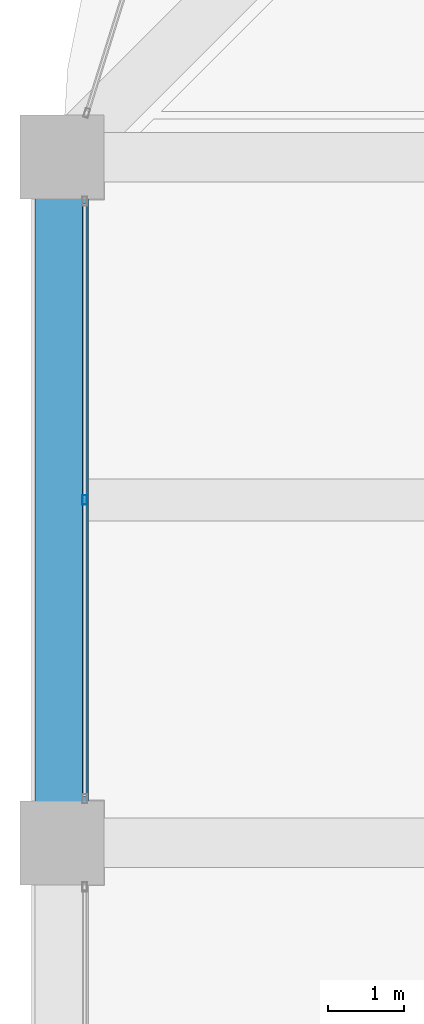
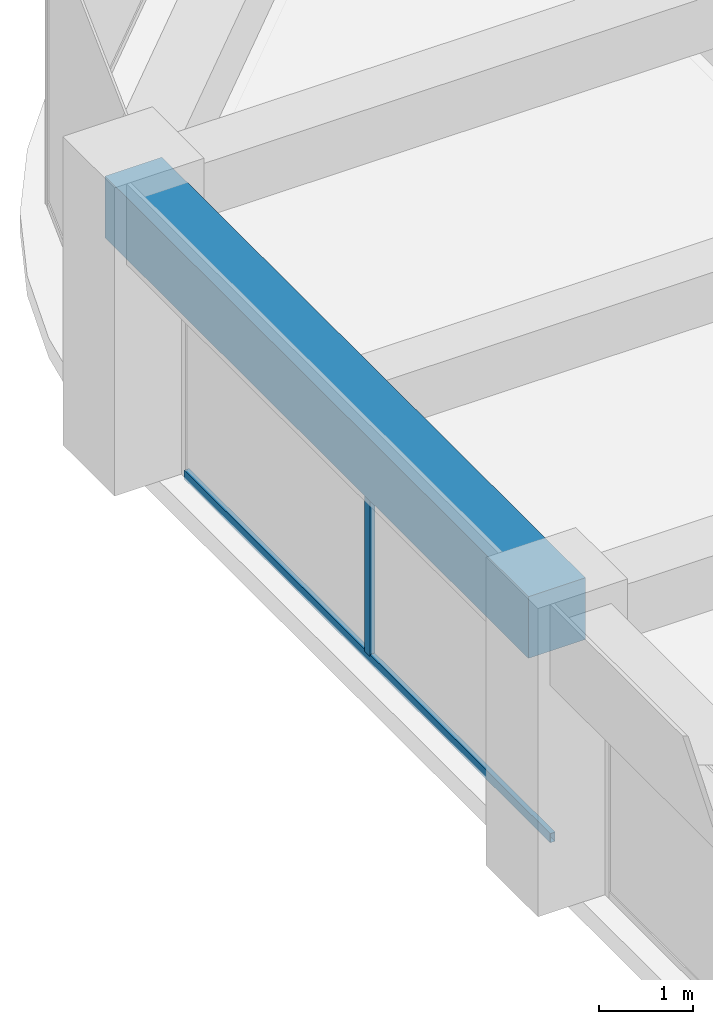
# One storey, part 16 of 44: 2 members, 1 beam, 1 element without a shape of its own.
"""IFC4 building model written with IfcOpenShell, lengths in metres."""

import ifcopenshell
import ifcopenshell.guid

model = None  # the IFC model being written
_history = None  # IfcOwnerHistory: only IFC2X3 demands one
_inside = {}  # id of a spatial element -> (the spatial element, [elements in it])
_under = {}  # id of a project, library or spatial element -> (it, [spatial elements below it])
_declared = {}  # id of a project -> (the project, [libraries it declares])
_typed = {}  # id of a type object -> (the type object, [elements of that type])
_made_of = {}  # id of a material, layer set ... -> (it, [elements and type objects made of it])


def new_model(schema):
    """Start an empty IFC model of exactly this schema.

    Asked for "IFC4X3", IfcOpenShell would pick the latest addendum, in which some entities
    have other attributes; the version numbers below select the first issue.
    IFC2X3 requires an IfcOwnerHistory on every rooted entity: one is made here for all.
    """
    global model, _history
    if schema == "IFC4X3":
        model = ifcopenshell.file(schema_version=(4, 3, 0, 0))
    else:
        model = ifcopenshell.file(schema=schema)
    _inside.clear()
    _under.clear()
    _declared.clear()
    _typed.clear()
    _made_of.clear()
    _history = None
    if model.schema == "IFC2X3":
        org = make("IfcOrganization", Name="unknown")
        user = make(
            "IfcPersonAndOrganization",
            ThePerson=make("IfcPerson", FamilyName="unknown"),
            TheOrganization=org,
        )
        app = make(
            "IfcApplication",
            ApplicationDeveloper=org,
            Version="unknown",
            ApplicationFullName="unknown",
            ApplicationIdentifier="unknown",
        )
        _history = make(
            "IfcOwnerHistory",
            OwningUser=user,
            OwningApplication=app,
            ChangeAction="ADDED",
            CreationDate=0,
        )
    return model


def make(cls, **values):
    """One entity of the class cls with the attributes given. An attribute that is None is left unset."""
    return model.create_entity(
        cls, **{name: value for name, value in values.items() if value is not None}
    )


def rooted(cls, **values):
    """An entity with a GlobalId (a new one), such as an element, a storey or a relation."""
    return make(cls, GlobalId=ifcopenshell.guid.new(), OwnerHistory=_history, **values)


def si_unit(unit_type, name, prefix=None):
    """IfcSIUnit, for example si_unit("LENGTHUNIT", "METRE", prefix="MILLI")."""
    return make("IfcSIUnit", UnitType=unit_type, Prefix=prefix, Name=name)


def assignment(units):
    """IfcUnitAssignment: the units of a project."""
    return None if units is None else make("IfcUnitAssignment", Units=units)


def point(xyz):
    """IfcCartesianPoint."""
    return None if xyz is None else make("IfcCartesianPoint", Coordinates=xyz)


def direction(xyz):
    """IfcDirection."""
    return None if xyz is None else make("IfcDirection", DirectionRatios=xyz)


def frame(location, z_axis=None, x_axis=None):
    """IfcAxis2Placement3D, a coordinate frame: its origin and axes. An axis left out is left unset."""
    return make(
        "IfcAxis2Placement3D",
        Location=point(location),
        Axis=direction(z_axis),
        RefDirection=direction(x_axis),
    )


def frame_2d(location, x_axis=None):
    """IfcAxis2Placement2D, a coordinate frame in the plane: its origin and x axis."""
    return make(
        "IfcAxis2Placement2D", Location=point(location), RefDirection=direction(x_axis)
    )


def origin():
    """The frame at (0, 0, 0) with its axes left unset."""
    return frame((0.0, 0.0, 0.0))


def origin_2d():
    """The frame at (0, 0) in the plane with its x axis left unset."""
    return frame_2d((0.0, 0.0))


def place(relative_to, where):
    """IfcLocalPlacement: puts the frame where relative to a parent placement (None: the world)."""
    return make(
        "IfcLocalPlacement", PlacementRelTo=relative_to, RelativePlacement=where
    )


def context(
    kind, dimensions, precision=None, world=None, true_north=None, identifier=None
):
    """IfcGeometricRepresentationContext, for example the 3D "Model" context."""
    return make(
        "IfcGeometricRepresentationContext",
        ContextIdentifier=identifier,
        ContextType=kind,
        CoordinateSpaceDimension=dimensions,
        Precision=precision,
        WorldCoordinateSystem=world,
        TrueNorth=true_north,
    )


def subcontext(parent, identifier, kind, view, scale=None):
    """IfcGeometricRepresentationSubContext, for example "Body" below "Model"."""
    return make(
        "IfcGeometricRepresentationSubContext",
        ContextIdentifier=identifier,
        ContextType=kind,
        ParentContext=parent,
        TargetScale=scale,
        TargetView=view,
    )


def project(units=None, contexts=None):
    """IfcProject with its units and contexts."""
    return rooted(
        "IfcProject",
        Name="project",
        RepresentationContexts=contexts,
        UnitsInContext=assignment(units),
    )


def spatial(cls, under=None, at=None, **own):
    """A site, building, storey or space (cls), placed at a placement, below another one or the project."""
    s = rooted(cls, ObjectPlacement=at, **own)
    if under is not None:
        _under.setdefault(under.id(), (under, []))[1].append(s)
    return s


def profile(cls, at=None, kind="AREA", **sizes):
    """A parametric profile (cls). Its sizes go by their IFC names, for example OverallWidth=200.0."""
    return make(cls, ProfileType=kind, Position=at, **sizes)


def rectangle(**sizes):
    """IfcRectangleProfileDef."""
    return profile("IfcRectangleProfileDef", **sizes)


def hollow_rectangle(**sizes):
    """IfcRectangleHollowProfileDef."""
    return profile("IfcRectangleHollowProfileDef", **sizes)


def extrude(swept, where, along, depth):
    """IfcExtrudedAreaSolid: the profile swept, set in the frame where, extruded along a direction by depth."""
    return make(
        "IfcExtrudedAreaSolid",
        SweptArea=swept,
        Position=where,
        ExtrudedDirection=direction(along),
        Depth=depth,
    )


def shape(context_of_items, identifier, shape_type, items):
    """IfcShapeRepresentation: the items that make up one representation, for example the "Body"."""
    return make(
        "IfcShapeRepresentation",
        ContextOfItems=context_of_items,
        RepresentationIdentifier=identifier,
        RepresentationType=shape_type,
        Items=items,
    )


def material(Name=None, Category=None):
    """IfcMaterial."""
    return make("IfcMaterial", Name=Name, Category=Category)


def material_profile(
    of_material, cross_section, Name=None, Category=None, Priority=None
):
    """IfcMaterialProfile: a cross section and its material."""
    return make(
        "IfcMaterialProfile",
        Name=Name,
        Material=of_material,
        Profile=cross_section,
        Priority=Priority,
        Category=Category,
    )


def profile_set(profiles, Name=None, composite=None):
    """IfcMaterialProfileSet."""
    return make(
        "IfcMaterialProfileSet",
        Name=Name,
        MaterialProfiles=profiles,
        CompositeProfile=composite,
    )


def made_of(thing, what):
    """Note that an element or type object is made of a material, layer set ...; save() writes the relation."""
    if what is not None:
        _made_of.setdefault(what.id(), (what, []))[1].append(thing)
    return thing


def type_object(cls, material=None, **own):
    """A type object (cls), such as IfcWallType, which elements share."""
    return made_of(rooted(cls, **own), material)


def element(
    cls,
    number,
    at=None,
    inside=None,
    cuts=None,
    type_object=None,
    material=None,
    context=None,
    identifier="Body",
    shape_type=None,
    held_by="IfcProductDefinitionShape",
    body=None,
    shapes=None,
    **own,
):
    """One element of the class cls, such as IfcWall. Its Tag is "e" and its number.

    at: its placement. inside: the storey or other place that contains it. cuts: it is an
    opening in that element (IfcRelVoidsElement). A single representation is given by context,
    identifier, shape_type and body (its items); several are given by shapes. held_by: the class
    of the entity that holds the representations. save() writes the other relations.
    """
    e = rooted(cls, Tag="e%d" % number, ObjectPlacement=at, **own)
    if body is not None:
        shapes = [shape(context, identifier, shape_type, body)]
    if shapes is not None:
        e.Representation = make(held_by, Representations=shapes)
    if inside is not None:
        _inside.setdefault(inside.id(), (inside, []))[1].append(e)
    if cuts is not None:
        rooted(
            "IfcRelVoidsElement", RelatingBuildingElement=cuts, RelatedOpeningElement=e
        )
    if type_object is not None:
        _typed.setdefault(type_object.id(), (type_object, []))[1].append(e)
    return made_of(e, material)


def aggregate(whole, parts):
    """IfcRelAggregates: a whole, such as a stair, and the parts it consists of."""
    return rooted("IfcRelAggregates", RelatingObject=whole, RelatedObjects=parts)


def save(model, path):
    """Write the relations noted so far, then the file.

    IfcRelAggregates (storeys below a building ...), IfcRelContainedInSpatialStructure (elements
    in a storey), IfcRelDefinesByType, IfcRelAssociatesMaterial and IfcRelDeclares: one each for
    every whole, place, type object, material and project.
    """
    for whole, parts in _under.values():
        aggregate(whole, parts)
    for where, things in _inside.values():
        rooted(
            "IfcRelContainedInSpatialStructure",
            RelatedElements=things,
            RelatingStructure=where,
        )
    for kind, things in _typed.values():
        rooted("IfcRelDefinesByType", RelatedObjects=things, RelatingType=kind)
    for what, things in _made_of.values():
        rooted("IfcRelAssociatesMaterial", RelatedObjects=things, RelatingMaterial=what)
    for by, libraries in _declared.values():
        rooted("IfcRelDeclares", RelatingContext=by, RelatedDefinitions=libraries)
    model.write(path)


model = new_model("IFC4")

# Units and contexts
model_context = context("Model", 3, precision=1e-05, world=origin(), true_north=direction((0.0, 1.0)))
body_context = subcontext(model_context, "Body", "Model", "MODEL_VIEW")
ifc_project = project(units=[si_unit("LENGTHUNIT", "METRE"), si_unit("AREAUNIT", "SQUARE_METRE"), si_unit("VOLUMEUNIT", "CUBIC_METRE"), si_unit("PLANEANGLEUNIT", "RADIAN"), si_unit("MASSUNIT", "GRAM", prefix="KILO")], contexts=[model_context])

# Site, building, storey
site_placement = place(None, origin())
site = spatial("IfcSite", under=ifc_project, at=site_placement, CompositionType="ELEMENT")
building_placement = place(site_placement, origin())
building = spatial("IfcBuilding", under=site, at=building_placement, Name="Zorevar Civic Tower", CompositionType="ELEMENT")
storey_placement = place(building_placement, frame((0.0, 0.0, 255.39990234375)))
storey = spatial("IfcBuildingStorey", under=building, at=storey_placement, Name="L62", CompositionType="ELEMENT", Elevation=255.39990234375)

# Curtain wall, members
ifc_material_1 = material(Name="Dark grey solar-control glass in black aluminium frame", Category="aluminium")
curtain_wall_type = type_object("IfcCurtainWallType", Name="Curtain wall CW5 top zone", PredefinedType="NOTDEFINED", material=ifc_material_1)
curtain_wall_placement = place(storey_placement, origin())
curtain_wall = element("IfcCurtainWall", 1, at=curtain_wall_placement, inside=storey, type_object=curtain_wall_type, Name="CW5 L62", PredefinedType="NOTDEFINED")
ifc_material_2 = material(Name="Aluminium, black anodised", Category="aluminium")
ifc_material_profile_1 = material_profile(ifc_material_2, hollow_rectangle(XDim=0.06005859375, YDim=0.1201171875, WallThickness=0.0029296875, at=origin_2d()), Name="AL 120x60x3")
ifc_profile_set_1 = profile_set([ifc_material_profile_1], Name="Aluminium, black anodised")
member_type_1 = type_object("IfcMemberType", Name="CW5 mullion AL 120x60x3", PredefinedType="MULLION", material=ifc_profile_set_1)
member_1_placement = place(storey_placement, frame((9.300048828125, 31.5, 0.06005859375), z_axis=(0.0, 0.0, 1.0), x_axis=(-1.0, 0.0, 0.0)))
member_1 = element("IfcMember", 2, at=member_1_placement, type_object=member_type_1, Name="CW5 mullion 2", PredefinedType="MULLION", context=body_context, shape_type="SweptSolid", body=[
    extrude(hollow_rectangle(XDim=0.06005859375, YDim=0.1201171875, WallThickness=0.0029296875, at=origin_2d()), origin(), (0.0, 0.0, 1.0), 2.89013671875),
])
ifc_material_3 = material(Name="Aluminium, black anodised", Category="aluminium")
ifc_material_profile_2 = material_profile(ifc_material_3, hollow_rectangle(XDim=0.06005859375, YDim=0.1201171875, WallThickness=0.0029296875, at=origin_2d()), Name="AL 120x60x3")
ifc_profile_set_2 = profile_set([ifc_material_profile_2], Name="Aluminium, black anodised")
member_type_2 = type_object("IfcMemberType", Name="CW5 transom AL 120x60x3", PredefinedType="USERDEFINED", material=ifc_profile_set_2)
member_2_placement = place(storey_placement, frame((9.300048828125, 27.610107421875, 0.030029296875), z_axis=(0.0, 1.0, 0.0), x_axis=(-1.0, 0.0, 0.0)))
member_2 = element("IfcMember", 3, at=member_2_placement, type_object=member_type_2, Name="CW5 sill transom", ObjectType="TRANSOM", PredefinedType="USERDEFINED", context=body_context, shape_type="SweptSolid", body=[
    extrude(hollow_rectangle(XDim=0.06005859375, YDim=0.1201171875, WallThickness=0.0029296875, at=origin_2d()), origin(), (0.0, 0.0, 1.0), 7.77978515625),
])
aggregate(curtain_wall, [member_1, member_2])

# Beam
ifc_material_4 = material(Name="Concrete C50/60", Category="concrete")
ifc_material_profile_3 = material_profile(ifc_material_4, rectangle(XDim=0.699951171875, YDim=0.800048828125, at=origin_2d()), Name="RC 700x800")
ifc_profile_set_3 = profile_set([ifc_material_profile_3], Name="Concrete C50/60")
beam_type = type_object("IfcBeamType", Name="Edge beam RC 700x800", PredefinedType="SPANDREL", material=ifc_profile_set_3)
beam_placement = place(storey_placement, frame((9.0, 27.0, 3.35009765625), z_axis=(0.0, 1.0, 0.0), x_axis=(-1.0, 0.0, 0.0)))
element("IfcBeam", 4, at=beam_placement, inside=storey, type_object=beam_type, Name="Edge beam L63", PredefinedType="SPANDREL", context=body_context, shape_type="SweptSolid", body=[
    extrude(rectangle(XDim=0.699951171875, YDim=0.800048828125, at=origin_2d()), origin(), (0.0, 0.0, 1.0), 9.0),
])

save(model, "model.ifc")
